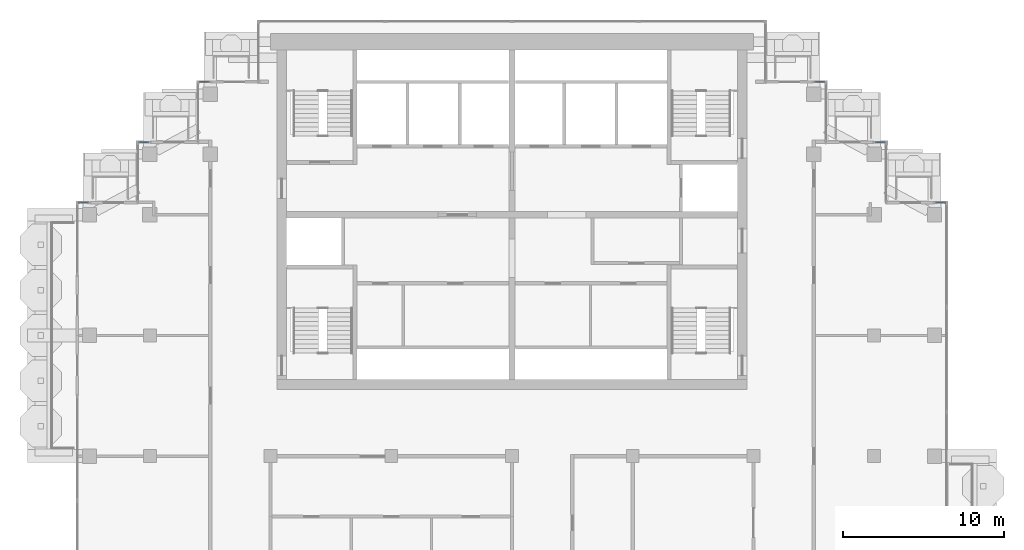
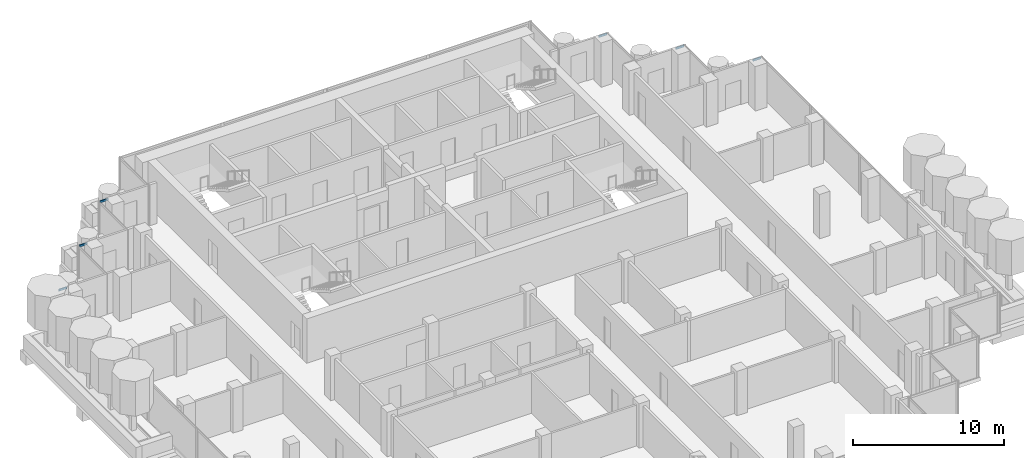
# One storey, part 7 of 18: 6 members, 6 elements without a shape of their own.
"""IFC4 building model written with IfcOpenShell, lengths in metres."""

from ifc_helpers import new_model, si_unit, direction, frame, origin, origin_2d, place, context, subcontext, project, spatial, rectangle, extrude, material, material_profile, profile_set, type_object, element, aggregate, save


model = new_model("IFC4")

# Units and contexts
model_context = context("Model", 3, precision=1e-05, world=origin(), true_north=direction((0.0, 1.0)))
body_context = subcontext(model_context, "Body", "Model", "MODEL_VIEW")
ifc_project = project(units=[si_unit("LENGTHUNIT", "METRE"), si_unit("AREAUNIT", "SQUARE_METRE"), si_unit("VOLUMEUNIT", "CUBIC_METRE"), si_unit("PLANEANGLEUNIT", "RADIAN"), si_unit("MASSUNIT", "GRAM", prefix="KILO")], contexts=[model_context])

# Site, building, storey
site_placement = place(None, origin())
site = spatial("IfcSite", under=ifc_project, at=site_placement, CompositionType="ELEMENT")
building_placement = place(site_placement, origin())
building = spatial("IfcBuilding", under=site, at=building_placement, Name="Pilkhan Gate Tower", CompositionType="ELEMENT")
storey_placement = place(building_placement, frame((0.0, 0.0, 235.5)))
storey = spatial("IfcBuildingStorey", under=building, at=storey_placement, Name="L61", CompositionType="ELEMENT", Elevation=235.5)

# Curtain wall, member
ifc_material_1 = material(Name="Pale anodised aluminium, clear low-iron double glazing", Category="aluminium")
curtain_wall_type = type_object("IfcCurtainWallType", Name="Office unitised curtain wall CW-O2", PredefinedType="USERDEFINED", material=ifc_material_1)
curtain_wall_1_placement = place(storey_placement, origin())
curtain_wall_1 = element("IfcCurtainWall", 1, at=curtain_wall_1_placement, inside=storey, type_object=curtain_wall_type, Name="Office unitised curtain wall CW-O2 L61 N", ObjectType="UNITISED CURTAIN WALL", PredefinedType="USERDEFINED")
ifc_material_2 = material(Name="Pale anodised aluminium", Category="aluminium")
ifc_material_profile = material_profile(ifc_material_2, rectangle(XDim=0.06494140625, YDim=0.1650390625, at=origin_2d()), Name="Transom 165x65")
ifc_profile_set = profile_set([ifc_material_profile], Name="Pale anodised aluminium")
member_type = type_object("IfcMemberType", Name="Transom CW-O2 165x65", PredefinedType="USERDEFINED", material=ifc_profile_set)
member_1_placement = place(storey_placement, frame((101.31494140625, 83.25, 3.217529296875), z_axis=(1.0, 0.0, 0.0), x_axis=(0.0, 1.0, 0.0)))
member_1 = element("IfcMember", 2, at=member_1_placement, type_object=member_type, Name="CW-O2 transom 1", ObjectType="TRANSOM", PredefinedType="USERDEFINED", context=body_context, shape_type="SweptSolid", body=[
    extrude(rectangle(XDim=0.06494140625, YDim=0.1650390625, at=origin_2d()), origin(), (0.0, 0.0, 1.0), 0.6201171875),
])
aggregate(curtain_wall_1, [member_1])

curtain_wall_2_placement = place(storey_placement, origin())
curtain_wall_2 = element("IfcCurtainWall", 3, at=curtain_wall_2_placement, inside=storey, type_object=curtain_wall_type, Name="Office unitised curtain wall CW-O2 L61 N", ObjectType="UNITISED CURTAIN WALL", PredefinedType="USERDEFINED")
member_2_placement = place(storey_placement, frame((97.56494140625, 87.0, 3.217529296875), z_axis=(1.0, 0.0, 0.0), x_axis=(0.0, 1.0, 0.0)))
member_2 = element("IfcMember", 4, at=member_2_placement, type_object=member_type, Name="CW-O2 transom 1", ObjectType="TRANSOM", PredefinedType="USERDEFINED", context=body_context, shape_type="SweptSolid", body=[
    extrude(rectangle(XDim=0.06494140625, YDim=0.1650390625, at=origin_2d()), origin(), (0.0, 0.0, 1.0), 0.6201171875),
])
aggregate(curtain_wall_2, [member_2])

curtain_wall_3_placement = place(storey_placement, origin())
curtain_wall_3 = element("IfcCurtainWall", 5, at=curtain_wall_3_placement, inside=storey, type_object=curtain_wall_type, Name="Office unitised curtain wall CW-O2 L61 N", ObjectType="UNITISED CURTAIN WALL", PredefinedType="USERDEFINED")
member_3_placement = place(storey_placement, frame((93.81494140625, 90.75, 3.217529296875), z_axis=(1.0, 0.0, 0.0), x_axis=(0.0, 1.0, 0.0)))
member_3 = element("IfcMember", 6, at=member_3_placement, type_object=member_type, Name="CW-O2 transom 1", ObjectType="TRANSOM", PredefinedType="USERDEFINED", context=body_context, shape_type="SweptSolid", body=[
    extrude(rectangle(XDim=0.06494140625, YDim=0.1650390625, at=origin_2d()), origin(), (0.0, 0.0, 1.0), 0.6201171875),
])
aggregate(curtain_wall_3, [member_3])

curtain_wall_4_placement = place(storey_placement, origin())
curtain_wall_4 = element("IfcCurtainWall", 7, at=curtain_wall_4_placement, inside=storey, type_object=curtain_wall_type, Name="Office unitised curtain wall CW-O2 L61 N", ObjectType="UNITISED CURTAIN WALL", PredefinedType="USERDEFINED")
member_4_placement = place(storey_placement, frame((55.56494140625, 90.75, 3.217529296875), z_axis=(1.0, 0.0, 0.0), x_axis=(0.0, 1.0, 0.0)))
member_4 = element("IfcMember", 8, at=member_4_placement, type_object=member_type, Name="CW-O2 transom 1", ObjectType="TRANSOM", PredefinedType="USERDEFINED", context=body_context, shape_type="SweptSolid", body=[
    extrude(rectangle(XDim=0.06494140625, YDim=0.1650390625, at=origin_2d()), origin(), (0.0, 0.0, 1.0), 0.6201171875),
])
aggregate(curtain_wall_4, [member_4])

curtain_wall_5_placement = place(storey_placement, origin())
curtain_wall_5 = element("IfcCurtainWall", 9, at=curtain_wall_5_placement, inside=storey, type_object=curtain_wall_type, Name="Office unitised curtain wall CW-O2 L61 N", ObjectType="UNITISED CURTAIN WALL", PredefinedType="USERDEFINED")
member_5_placement = place(storey_placement, frame((51.81494140625, 87.0, 3.217529296875), z_axis=(1.0, 0.0, 0.0), x_axis=(0.0, 1.0, 0.0)))
member_5 = element("IfcMember", 10, at=member_5_placement, type_object=member_type, Name="CW-O2 transom 1", ObjectType="TRANSOM", PredefinedType="USERDEFINED", context=body_context, shape_type="SweptSolid", body=[
    extrude(rectangle(XDim=0.06494140625, YDim=0.1650390625, at=origin_2d()), origin(), (0.0, 0.0, 1.0), 0.6201171875),
])
aggregate(curtain_wall_5, [member_5])

curtain_wall_6_placement = place(storey_placement, origin())
curtain_wall_6 = element("IfcCurtainWall", 11, at=curtain_wall_6_placement, inside=storey, type_object=curtain_wall_type, Name="Office unitised curtain wall CW-O2 L61 N", ObjectType="UNITISED CURTAIN WALL", PredefinedType="USERDEFINED")
member_6_placement = place(storey_placement, frame((48.06494140625, 83.25, 3.217529296875), z_axis=(1.0, 0.0, 0.0), x_axis=(0.0, 1.0, 0.0)))
member_6 = element("IfcMember", 12, at=member_6_placement, type_object=member_type, Name="CW-O2 transom 1", ObjectType="TRANSOM", PredefinedType="USERDEFINED", context=body_context, shape_type="SweptSolid", body=[
    extrude(rectangle(XDim=0.06494140625, YDim=0.1650390625, at=origin_2d()), origin(), (0.0, 0.0, 1.0), 0.6201171875),
])
aggregate(curtain_wall_6, [member_6])

save(model, "model.ifc")
